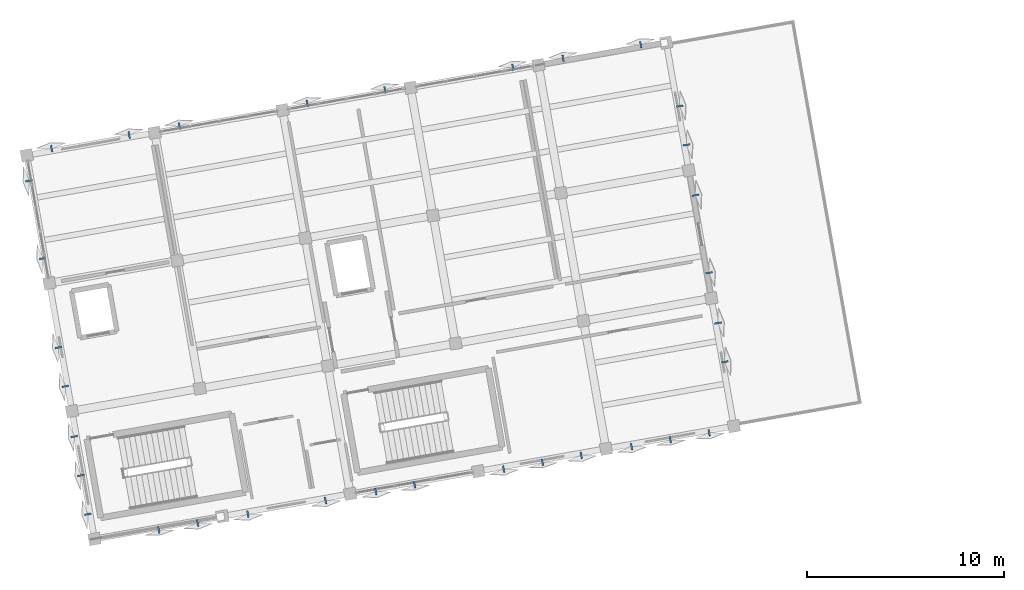
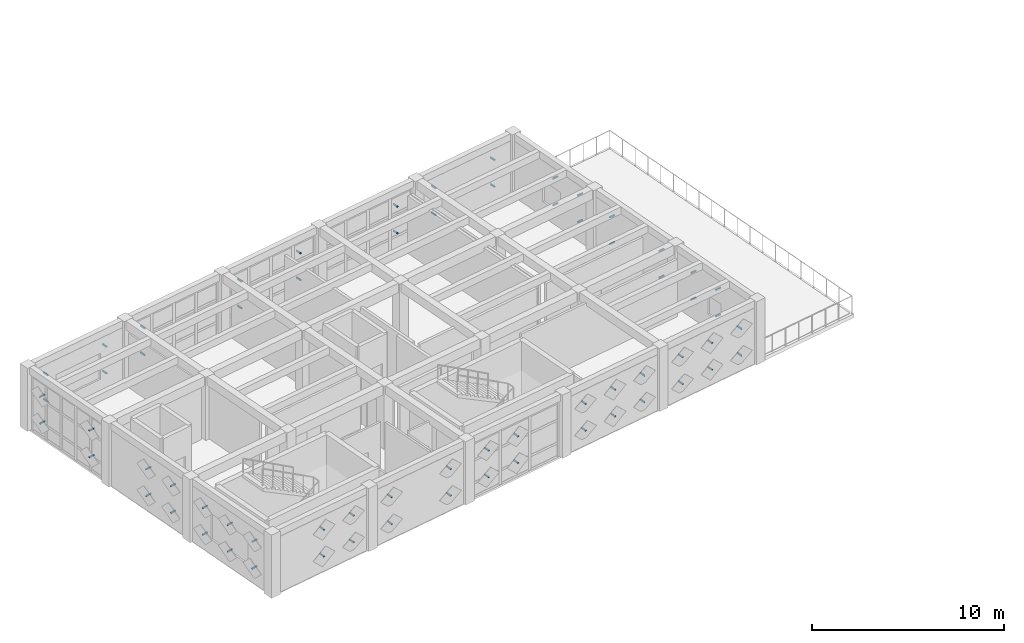
# One storey, part 16 of 18: 66 discrete accessories.
"""IFC4 building model written with IfcOpenShell, lengths in metres."""

from ifc_helpers import new_model, si_unit, direction, frame, origin, origin_2d, place, context, subcontext, project, spatial, hollow_rectangle, extrude, material, type_object, element, save


model = new_model("IFC4")

# Units and contexts
model_context = context("Model", 3, precision=1e-05, world=origin(), true_north=direction((0.0, 1.0)))
body_context = subcontext(model_context, "Body", "Model", "MODEL_VIEW")
ifc_project = project(units=[si_unit("LENGTHUNIT", "METRE"), si_unit("AREAUNIT", "SQUARE_METRE"), si_unit("VOLUMEUNIT", "CUBIC_METRE"), si_unit("PLANEANGLEUNIT", "RADIAN"), si_unit("MASSUNIT", "GRAM", prefix="KILO")], contexts=[model_context])

# Site, building, storey
site_placement = place(None, origin())
site = spatial("IfcSite", under=ifc_project, at=site_placement, CompositionType="ELEMENT")
building_placement = place(site_placement, origin())
building = spatial("IfcBuilding", under=site, at=building_placement, Name="Kharisveld Research Institute", CompositionType="ELEMENT")
storey_placement = place(building_placement, frame((0.0, 0.0, 36.60009765625)))
storey = spatial("IfcBuildingStorey", under=building, at=storey_placement, Name="L08", CompositionType="ELEMENT", Elevation=36.60009765625)

# Discrete accessories
ifc_material = material(Name="Steel S355JR", Category="steel")
discrete_accessory_type = type_object("IfcDiscreteAccessoryType", Name="BKT_ST_260", PredefinedType="BRACKET")
for number, where, z_axis, x_axis, name in (
    (1, (5.033935546875, 36.29736328125, 1.0498046875), (-0.984804615622, -0.173665969752, 0.0), (0.173665969752, -0.984804615622, 0.0), "BKT-SHD:V1:L08:W0:S0C0"),
    (2, (5.033935546875, 36.29736328125, 2.75), (-0.984804615622, -0.173665969752, 0.0), (0.173665969752, -0.984804615622, 0.0), "BKT-SHD:V1:L08:W0:S0C1"),
    (3, (4.68603515625, 38.270263671875, 1.0498046875), (-0.984804615622, -0.173665969752, 0.0), (0.173665969752, -0.984804615622, 0.0), "BKT-SHD:V1:L08:W0:S1C0"),
    (4, (4.68603515625, 38.270263671875, 2.75), (-0.984804615622, -0.173665969752, 0.0), (0.173665969752, -0.984804615622, 0.0), "BKT-SHD:V1:L08:W0:S1C1"),
    (5, (4.338134765625, 40.2431640625, 1.0498046875), (-0.984804615622, -0.173665969752, 0.0), (0.173665969752, -0.984804615622, 0.0), "BKT-SHD:V1:L08:W0:S2C0"),
    (6, (4.338134765625, 40.2431640625, 2.75), (-0.984804615622, -0.173665969752, 0.0), (0.173665969752, -0.984804615622, 0.0), "BKT-SHD:V1:L08:W0:S2C1"),
    (7, (3.887939453125, 42.797119140625, 1.0498046875), (-0.984804615622, -0.173665969752, 0.0), (0.173665969752, -0.984804615622, 0.0), "BKT-SHD:V1:L08:W1:S0C0"),
    (8, (3.887939453125, 42.797119140625, 2.75), (-0.984804615622, -0.173665969752, 0.0), (0.173665969752, -0.984804615622, 0.0), "BKT-SHD:V1:L08:W1:S0C1"),
    (9, (3.5400390625, 44.77001953125, 1.0498046875), (-0.984804615622, -0.173665969752, 0.0), (0.173665969752, -0.984804615622, 0.0), "BKT-SHD:V1:L08:W1:S1C0"),
    (10, (3.5400390625, 44.77001953125, 2.75), (-0.984804615622, -0.173665969752, 0.0), (0.173665969752, -0.984804615622, 0.0), "BKT-SHD:V1:L08:W1:S1C1"),
    (11, (2.74169921875, 49.296875, 1.0498046875), (-0.984804615622, -0.173665969752, 0.0), (0.173665969752, -0.984804615622, 0.0), "BKT-SHD:V1:L08:W2:S0C0"),
    (12, (2.74169921875, 49.296875, 2.75), (-0.984804615622, -0.173665969752, 0.0), (0.173665969752, -0.984804615622, 0.0), "BKT-SHD:V1:L08:W2:S0C1"),
):
    element("IfcDiscreteAccessory", number, at=place(storey_placement, frame(where, z_axis=z_axis, x_axis=x_axis)), inside=storey, type_object=discrete_accessory_type, material=ifc_material, Name=name, ObjectType="BRACKET", PredefinedType="BRACKET", context=body_context, shape_type="SweptSolid", body=[
        extrude(hollow_rectangle(XDim=0.080078125, YDim=0.080078125, WallThickness=0.0048828125, at=origin_2d()), origin(), (0.0, 0.0, 1.0), 0.35009765625),
    ])
for number, where, z_axis, x_axis, name in (
    (13, (2.0458984375, 53.24267578125, 1.0498046875), (-0.984783558818, -0.173785333909, 0.0), (0.173785333909, -0.984783558818, 0.0), "BKT-SHD:V1:L08:W2:S2C0"),
    (14, (2.0458984375, 53.24267578125, 2.75), (-0.984783558818, -0.173785333909, 0.0), (0.173785333909, -0.984783558818, 0.0), "BKT-SHD:V1:L08:W2:S2C1"),
):
    element("IfcDiscreteAccessory", number, at=place(storey_placement, frame(where, z_axis=z_axis, x_axis=x_axis)), inside=storey, type_object=discrete_accessory_type, material=ifc_material, Name=name, ObjectType="BRACKET", PredefinedType="BRACKET", context=body_context, shape_type="SweptSolid", body=[
        extrude(hollow_rectangle(XDim=0.080078125, YDim=0.080078125, WallThickness=0.0048828125, at=origin_2d()), origin(), (0.0, 0.0, 1.0), 0.349853515625),
    ])
for number, where, z_axis, x_axis, name in (
    (15, (3.049072265625, 54.67529296875, 1.0498046875), (-0.173665969752, 0.984804615622, 0.0), (-0.984804615622, -0.173665969752, 0.0), "BKT-SHD:V1:L08:N0:S0C0"),
    (16, (3.049072265625, 54.67529296875, 2.75), (-0.173665969752, 0.984804615622, 0.0), (-0.984804615622, -0.173665969752, 0.0), "BKT-SHD:V1:L08:N0:S0C1"),
    (17, (6.994873046875, 55.37109375, 1.0498046875), (-0.173665969752, 0.984804615622, 0.0), (-0.984804615622, -0.173665969752, 0.0), "BKT-SHD:V1:L08:N0:S2C0"),
    (18, (6.994873046875, 55.37109375, 2.75), (-0.173665969752, 0.984804615622, 0.0), (-0.984804615622, -0.173665969752, 0.0), "BKT-SHD:V1:L08:N0:S2C1"),
    (19, (9.548828125, 55.8212890625, 1.0498046875), (-0.173665969752, 0.984804615622, 0.0), (-0.984804615622, -0.173665969752, 0.0), "BKT-SHD:V1:L08:N1:S0C0"),
    (20, (9.548828125, 55.8212890625, 2.75), (-0.173665969752, 0.984804615622, 0.0), (-0.984804615622, -0.173665969752, 0.0), "BKT-SHD:V1:L08:N1:S0C1"),
):
    element("IfcDiscreteAccessory", number, at=place(storey_placement, frame(where, z_axis=z_axis, x_axis=x_axis)), inside=storey, type_object=discrete_accessory_type, material=ifc_material, Name=name, ObjectType="BRACKET", PredefinedType="BRACKET", context=body_context, shape_type="SweptSolid", body=[
        extrude(hollow_rectangle(XDim=0.080078125, YDim=0.080078125, WallThickness=0.0048828125, at=origin_2d()), origin(), (0.0, 0.0, 1.0), 0.35009765625),
    ])
for number, where, z_axis, x_axis, name in (
    (21, (16.048583984375, 56.967529296875, 1.0498046875), (-0.173785333909, 0.984783558818, 0.0), (-0.984783558818, -0.173785333909, 0.0), "BKT-SHD:V1:L08:N2:S0C0"),
    (22, (16.048583984375, 56.967529296875, 2.75), (-0.173785333909, 0.984783558818, 0.0), (-0.984783558818, -0.173785333909, 0.0), "BKT-SHD:V1:L08:N2:S0C1"),
):
    element("IfcDiscreteAccessory", number, at=place(storey_placement, frame(where, z_axis=z_axis, x_axis=x_axis)), inside=storey, type_object=discrete_accessory_type, material=ifc_material, Name=name, ObjectType="BRACKET", PredefinedType="BRACKET", context=body_context, shape_type="SweptSolid", body=[
        extrude(hollow_rectangle(XDim=0.080078125, YDim=0.080078125, WallThickness=0.0048828125, at=origin_2d()), origin(), (0.0, 0.0, 1.0), 0.349853515625),
    ])
for number, where, z_axis, x_axis, name in (
    (23, (19.994384765625, 57.6630859375, 1.0498046875), (-0.173665969752, 0.984804615622, 0.0), (-0.984804615622, -0.173665969752, 0.0), "BKT-SHD:V1:L08:N2:S2C0"),
    (24, (19.994384765625, 57.6630859375, 2.75), (-0.173665969752, 0.984804615622, 0.0), (-0.984804615622, -0.173665969752, 0.0), "BKT-SHD:V1:L08:N2:S2C1"),
    (25, (26.494140625, 58.809326171875, 1.0498046875), (-0.173665969752, 0.984804615622, 0.0), (-0.984804615622, -0.173665969752, 0.0), "BKT-SHD:V1:L08:N3:S2C0"),
    (26, (26.494140625, 58.809326171875, 2.75), (-0.173665969752, 0.984804615622, 0.0), (-0.984804615622, -0.173665969752, 0.0), "BKT-SHD:V1:L08:N3:S2C1"),
    (27, (29.048095703125, 59.259521484375, 1.0498046875), (-0.173665969752, 0.984804615622, 0.0), (-0.984804615622, -0.173665969752, 0.0), "BKT-SHD:V1:L08:N4:S0C0"),
    (28, (29.048095703125, 59.259521484375, 2.75), (-0.173665969752, 0.984804615622, 0.0), (-0.984804615622, -0.173665969752, 0.0), "BKT-SHD:V1:L08:N4:S0C1"),
    (29, (32.993896484375, 59.955322265625, 1.0498046875), (-0.173665969752, 0.984804615622, 0.0), (-0.984804615622, -0.173665969752, 0.0), "BKT-SHD:V1:L08:N4:S2C0"),
    (30, (32.993896484375, 59.955322265625, 2.75), (-0.173665969752, 0.984804615622, 0.0), (-0.984804615622, -0.173665969752, 0.0), "BKT-SHD:V1:L08:N4:S2C1"),
    (31, (34.7744140625, 56.979248046875, 1.0498046875), (0.984804615622, 0.173665969752, 0.0), (-0.173665969752, 0.984804615622, 0.0), "BKT-SHD:V1:L08:E3:S1C0"),
    (32, (34.7744140625, 56.979248046875, 2.75), (0.984804615622, 0.173665969752, 0.0), (-0.173665969752, 0.984804615622, 0.0), "BKT-SHD:V1:L08:E3:S1C1"),
    (33, (35.122314453125, 55.00634765625, 1.0498046875), (0.984804615622, 0.173665969752, 0.0), (-0.173665969752, 0.984804615622, 0.0), "BKT-SHD:V1:L08:E3:S2C0"),
    (34, (35.122314453125, 55.00634765625, 2.75), (0.984804615622, 0.173665969752, 0.0), (-0.173665969752, 0.984804615622, 0.0), "BKT-SHD:V1:L08:E3:S2C1"),
    (35, (35.572509765625, 52.452392578125, 1.0498046875), (0.984804615622, 0.173665969752, 0.0), (-0.173665969752, 0.984804615622, 0.0), "BKT-SHD:V1:L08:E2:S0C0"),
    (36, (35.572509765625, 52.452392578125, 2.75), (0.984804615622, 0.173665969752, 0.0), (-0.173665969752, 0.984804615622, 0.0), "BKT-SHD:V1:L08:E2:S0C1"),
    (37, (36.268310546875, 48.506591796875, 1.0498046875), (0.984804615622, 0.173665969752, 0.0), (-0.173665969752, 0.984804615622, 0.0), "BKT-SHD:V1:L08:E2:S2C0"),
    (38, (36.268310546875, 48.506591796875, 2.75), (0.984804615622, 0.173665969752, 0.0), (-0.173665969752, 0.984804615622, 0.0), "BKT-SHD:V1:L08:E2:S2C1"),
):
    element("IfcDiscreteAccessory", number, at=place(storey_placement, frame(where, z_axis=z_axis, x_axis=x_axis)), inside=storey, type_object=discrete_accessory_type, material=ifc_material, Name=name, ObjectType="BRACKET", PredefinedType="BRACKET", context=body_context, shape_type="SweptSolid", body=[
        extrude(hollow_rectangle(XDim=0.080078125, YDim=0.080078125, WallThickness=0.0048828125, at=origin_2d()), origin(), (0.0, 0.0, 1.0), 0.35009765625),
    ])
for number, where, z_axis, x_axis, name in (
    (39, (36.71875, 45.95263671875, 1.0498046875), (0.984783558818, 0.173785333909, 0.0), (-0.173785333909, 0.984783558818, 0.0), "BKT-SHD:V1:L08:E1:S0C0"),
    (40, (36.71875, 45.95263671875, 2.75), (0.984783558818, 0.173785333909, 0.0), (-0.173785333909, 0.984783558818, 0.0), "BKT-SHD:V1:L08:E1:S0C1"),
    (41, (37.066650390625, 43.979736328125, 1.0498046875), (0.984783558818, 0.173785333909, 0.0), (-0.173785333909, 0.984783558818, 0.0), "BKT-SHD:V1:L08:E1:S1C0"),
    (42, (37.066650390625, 43.979736328125, 2.75), (0.984783558818, 0.173785333909, 0.0), (-0.173785333909, 0.984783558818, 0.0), "BKT-SHD:V1:L08:E1:S1C1"),
    (43, (36.411376953125, 40.57421875, 1.0498046875), (0.173785333909, -0.984783558818, 0.0), (0.984783558818, 0.173785333909, 0.0), "BKT-SHD:V1:L08:S5:S0C0"),
    (44, (36.411376953125, 40.57421875, 2.75), (0.173785333909, -0.984783558818, 0.0), (0.984783558818, 0.173785333909, 0.0), "BKT-SHD:V1:L08:S5:S0C1"),
    (45, (34.4384765625, 40.226318359375, 1.0498046875), (0.173785333909, -0.984783558818, 0.0), (0.984783558818, 0.173785333909, 0.0), "BKT-SHD:V1:L08:S5:S1C0"),
    (46, (34.4384765625, 40.226318359375, 2.75), (0.173785333909, -0.984783558818, 0.0), (0.984783558818, 0.173785333909, 0.0), "BKT-SHD:V1:L08:S5:S1C1"),
):
    element("IfcDiscreteAccessory", number, at=place(storey_placement, frame(where, z_axis=z_axis, x_axis=x_axis)), inside=storey, type_object=discrete_accessory_type, material=ifc_material, Name=name, ObjectType="BRACKET", PredefinedType="BRACKET", context=body_context, shape_type="SweptSolid", body=[
        extrude(hollow_rectangle(XDim=0.080078125, YDim=0.080078125, WallThickness=0.0048828125, at=origin_2d()), origin(), (0.0, 0.0, 1.0), 0.349853515625),
    ])
for number, where, z_axis, x_axis, name in (
    (47, (32.465576171875, 39.878662109375, 1.0498046875), (0.173665969752, -0.984804615622, 0.0), (0.984804615622, 0.173665969752, 0.0), "BKT-SHD:V1:L08:S5:S2C0"),
    (48, (32.465576171875, 39.878662109375, 2.75), (0.173665969752, -0.984804615622, 0.0), (0.984804615622, 0.173665969752, 0.0), "BKT-SHD:V1:L08:S5:S2C1"),
    (49, (29.91162109375, 39.42822265625, 1.0498046875), (0.173665969752, -0.984804615622, 0.0), (0.984804615622, 0.173665969752, 0.0), "BKT-SHD:V1:L08:S4:S0C0"),
    (50, (29.91162109375, 39.42822265625, 2.75), (0.173665969752, -0.984804615622, 0.0), (0.984804615622, 0.173665969752, 0.0), "BKT-SHD:V1:L08:S4:S0C1"),
    (51, (27.938720703125, 39.080322265625, 1.0498046875), (0.173665969752, -0.984804615622, 0.0), (0.984804615622, 0.173665969752, 0.0), "BKT-SHD:V1:L08:S4:S1C0"),
    (52, (27.938720703125, 39.080322265625, 2.75), (0.173665969752, -0.984804615622, 0.0), (0.984804615622, 0.173665969752, 0.0), "BKT-SHD:V1:L08:S4:S1C1"),
    (53, (25.9658203125, 38.732421875, 1.0498046875), (0.173665969752, -0.984804615622, 0.0), (0.984804615622, 0.173665969752, 0.0), "BKT-SHD:V1:L08:S4:S2C0"),
    (54, (25.9658203125, 38.732421875, 2.75), (0.173665969752, -0.984804615622, 0.0), (0.984804615622, 0.173665969752, 0.0), "BKT-SHD:V1:L08:S4:S2C1"),
    (55, (21.43896484375, 37.934326171875, 1.0498046875), (0.173665969752, -0.984804615622, 0.0), (0.984804615622, 0.173665969752, 0.0), "BKT-SHD:V1:L08:S3:S1C0"),
    (56, (21.43896484375, 37.934326171875, 2.75), (0.173665969752, -0.984804615622, 0.0), (0.984804615622, 0.173665969752, 0.0), "BKT-SHD:V1:L08:S3:S1C1"),
    (57, (19.466064453125, 37.58642578125, 1.0498046875), (0.173665969752, -0.984804615622, 0.0), (0.984804615622, 0.173665969752, 0.0), "BKT-SHD:V1:L08:S3:S2C0"),
    (58, (19.466064453125, 37.58642578125, 2.75), (0.173665969752, -0.984804615622, 0.0), (0.984804615622, 0.173665969752, 0.0), "BKT-SHD:V1:L08:S3:S2C1"),
):
    element("IfcDiscreteAccessory", number, at=place(storey_placement, frame(where, z_axis=z_axis, x_axis=x_axis)), inside=storey, type_object=discrete_accessory_type, material=ifc_material, Name=name, ObjectType="BRACKET", PredefinedType="BRACKET", context=body_context, shape_type="SweptSolid", body=[
        extrude(hollow_rectangle(XDim=0.080078125, YDim=0.080078125, WallThickness=0.0048828125, at=origin_2d()), origin(), (0.0, 0.0, 1.0), 0.35009765625),
    ])
for number, where, z_axis, x_axis, name in (
    (59, (16.912109375, 37.135986328125, 1.0498046875), (0.173785333909, -0.984783558818, 0.0), (0.984783558818, 0.173785333909, 0.0), "BKT-SHD:V1:L08:S2:S0C0"),
    (60, (16.912109375, 37.135986328125, 2.75), (0.173785333909, -0.984783558818, 0.0), (0.984783558818, 0.173785333909, 0.0), "BKT-SHD:V1:L08:S2:S0C1"),
):
    element("IfcDiscreteAccessory", number, at=place(storey_placement, frame(where, z_axis=z_axis, x_axis=x_axis)), inside=storey, type_object=discrete_accessory_type, material=ifc_material, Name=name, ObjectType="BRACKET", PredefinedType="BRACKET", context=body_context, shape_type="SweptSolid", body=[
        extrude(hollow_rectangle(XDim=0.080078125, YDim=0.080078125, WallThickness=0.0048828125, at=origin_2d()), origin(), (0.0, 0.0, 1.0), 0.349853515625),
    ])
for number, where, z_axis, x_axis, name in (
    (61, (12.96630859375, 36.4404296875, 1.0498046875), (0.173665969752, -0.984804615622, 0.0), (0.984804615622, 0.173665969752, 0.0), "BKT-SHD:V1:L08:S2:S2C0"),
    (62, (12.96630859375, 36.4404296875, 2.75), (0.173665969752, -0.984804615622, 0.0), (0.984804615622, 0.173665969752, 0.0), "BKT-SHD:V1:L08:S2:S2C1"),
    (63, (10.412353515625, 35.989990234375, 1.0498046875), (0.173665969752, -0.984804615622, 0.0), (0.984804615622, 0.173665969752, 0.0), "BKT-SHD:V1:L08:S1:S0C0"),
    (64, (10.412353515625, 35.989990234375, 2.75), (0.173665969752, -0.984804615622, 0.0), (0.984804615622, 0.173665969752, 0.0), "BKT-SHD:V1:L08:S1:S0C1"),
    (65, (8.439453125, 35.64208984375, 1.0498046875), (0.173665969752, -0.984804615622, 0.0), (0.984804615622, 0.173665969752, 0.0), "BKT-SHD:V1:L08:S1:S1C0"),
    (66, (8.439453125, 35.64208984375, 2.75), (0.173665969752, -0.984804615622, 0.0), (0.984804615622, 0.173665969752, 0.0), "BKT-SHD:V1:L08:S1:S1C1"),
):
    element("IfcDiscreteAccessory", number, at=place(storey_placement, frame(where, z_axis=z_axis, x_axis=x_axis)), inside=storey, type_object=discrete_accessory_type, material=ifc_material, Name=name, ObjectType="BRACKET", PredefinedType="BRACKET", context=body_context, shape_type="SweptSolid", body=[
        extrude(hollow_rectangle(XDim=0.080078125, YDim=0.080078125, WallThickness=0.0048828125, at=origin_2d()), origin(), (0.0, 0.0, 1.0), 0.35009765625),
    ])

save(model, "model.ifc")
